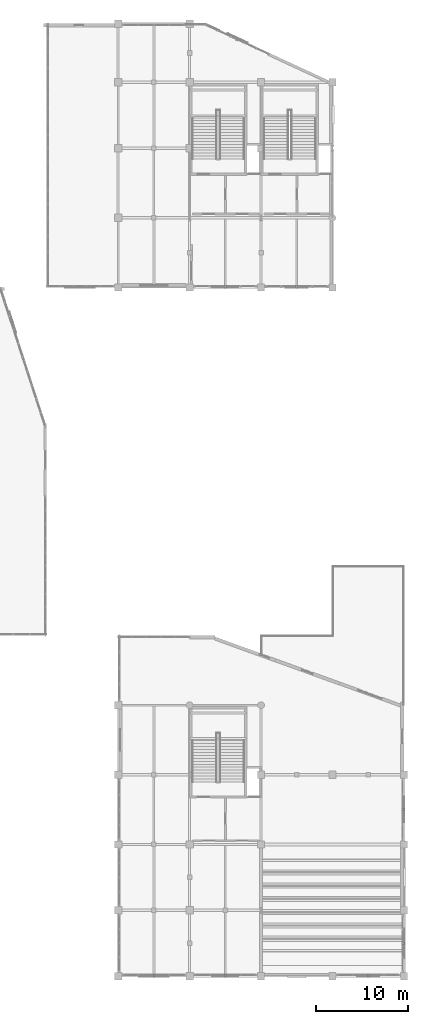
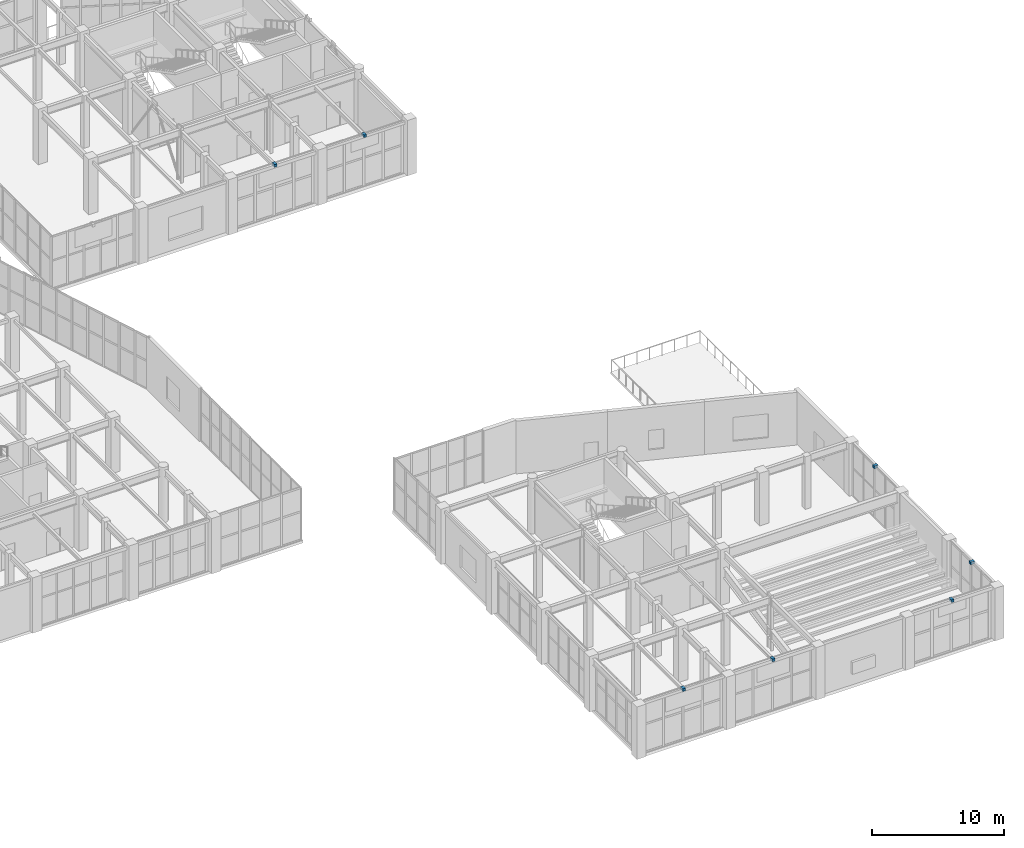
# One storey, part 121 of 128: 7 discrete accessories.
"""IFC4 building model written with IfcOpenShell, lengths in metres."""

from ifc_helpers import new_model, si_unit, direction, frame, origin, origin_2d, place, context, subcontext, project, spatial, rectangle, extrude, material, type_object, element, save


model = new_model("IFC4")

# Units and contexts
model_context = context("Model", 3, precision=1e-05, world=origin(), true_north=direction((0.0, 1.0)))
body_context = subcontext(model_context, "Body", "Model", "MODEL_VIEW")
ifc_project = project(units=[si_unit("LENGTHUNIT", "METRE"), si_unit("AREAUNIT", "SQUARE_METRE"), si_unit("VOLUMEUNIT", "CUBIC_METRE"), si_unit("PLANEANGLEUNIT", "RADIAN"), si_unit("MASSUNIT", "GRAM", prefix="KILO")], contexts=[model_context])

# Site, building, storey
site_placement = place(None, origin())
site = spatial("IfcSite", under=ifc_project, at=site_placement, CompositionType="ELEMENT")
building_placement = place(site_placement, origin())
building = spatial("IfcBuilding", under=site, at=building_placement, Name="Xicomal Pleat Aquarium", CompositionType="ELEMENT")
storey_placement = place(building_placement, frame((0.0, 0.0, 5.39990234375)))
storey = spatial("IfcBuildingStorey", under=building, at=storey_placement, Name="L02", CompositionType="ELEMENT", Elevation=5.39990234375)

# Discrete accessories
ifc_material = material(Name="Stainless steel 316L", Category="steel")
discrete_accessory_type = type_object("IfcDiscreteAccessoryType", Name="ACC-BRK-STL", PredefinedType="BRACKET", material=ifc_material)
for number, where, z_axis, x_axis, name in (
    (1, (164.919921875, 19.0, 4.6201171875), (0.0, 0.0, 1.0), (0.0, -1.0, 0.0), "L02 sunshade support bracket 40"),
    (2, (164.919921875, 4.39990234375, 4.6201171875), (0.0, 0.0, 1.0), (0.0, -1.0, 0.0), "L02 sunshade support bracket 41"),
    (3, (161.10009765625, 0.8798828125, 4.6201171875), (0.0, 0.0, 1.0), (-1.0, 0.0, 0.0), "L02 sunshade support bracket 42"),
    (4, (145.5, 0.8798828125, 4.6201171875), (0.0, 0.0, 1.0), (-1.0, 0.0, 0.0), "L02 sunshade support bracket 43"),
    (5, (137.699951171875, 0.8798828125, 4.6201171875), (0.0, 0.0, 1.0), (-1.0, 0.0, 0.0), "L02 sunshade support bracket 44"),
    (6, (153.300048828125, 76.080078125, 4.60009765625), (0.0, 0.0, 1.0), (-1.0, 0.0, 0.0), "L02 sunshade support bracket 45"),
    (7, (145.5, 76.080078125, 4.60009765625), (0.0, 0.0, 1.0), (-1.0, 0.0, 0.0), "L02 sunshade support bracket 46"),
):
    element("IfcDiscreteAccessory", number, at=place(storey_placement, frame(where, z_axis=z_axis, x_axis=x_axis)), inside=storey, type_object=discrete_accessory_type, Name=name, PredefinedType="BRACKET", context=body_context, shape_type="SweptSolid", body=[
        extrude(rectangle(XDim=0.239990234375, YDim=0.360107421875, at=origin_2d()), origin(), (0.0, 0.0, 1.0), 0.239990234375),
    ])

save(model, "model.ifc")
